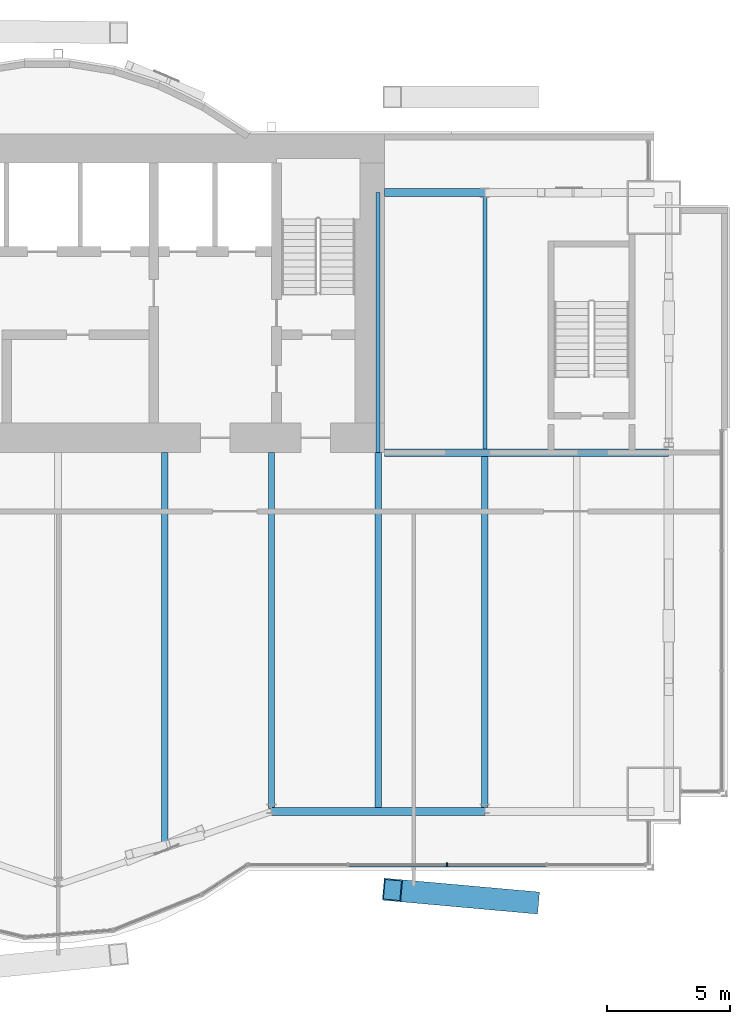
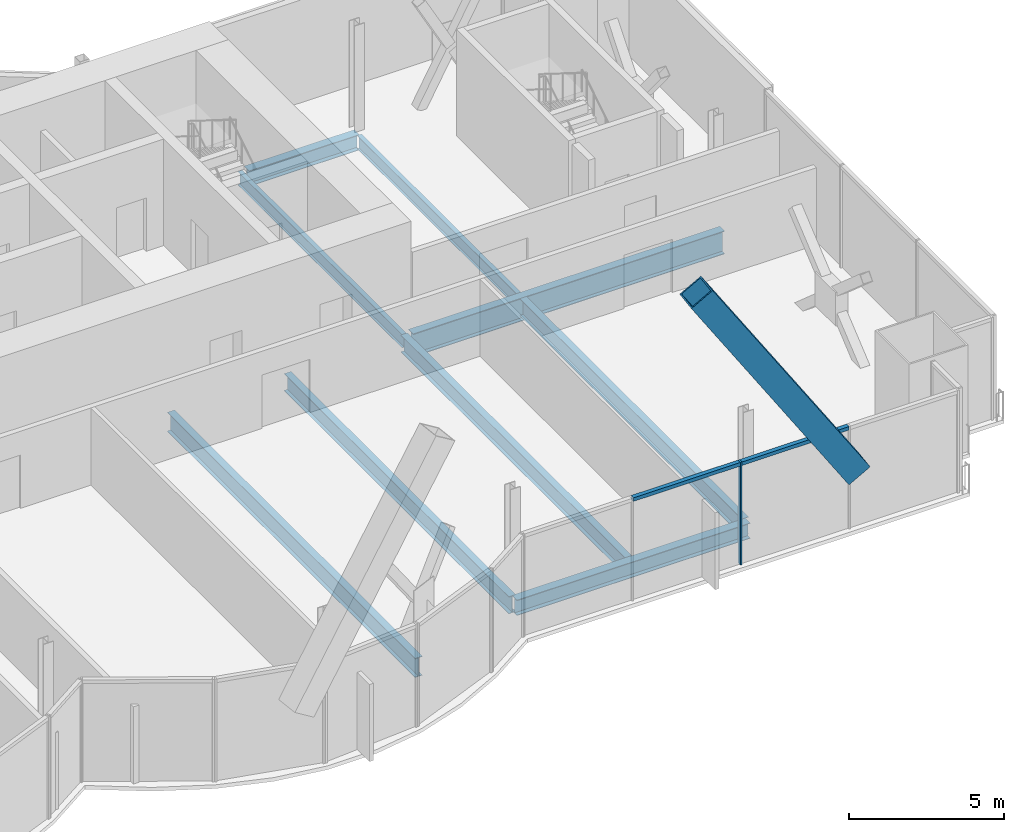
# One storey, part 9 of 20: 9 beams, 4 members, 1 element without a shape of its own.
"""IFC4 building model written with IfcOpenShell, lengths in metres."""

from ifc_helpers import new_model, si_unit, direction, frame, origin, origin_2d, place, context, subcontext, project, spatial, rectangle, hollow_rectangle, i_section, extrude, material, material_profile, profile_set, type_object, element, aggregate, save


model = new_model("IFC4")

# Units and contexts
model_context = context("Model", 3, precision=1e-05, world=origin(), true_north=direction((0.0, 1.0)))
body_context = subcontext(model_context, "Body", "Model", "MODEL_VIEW")
ifc_project = project(units=[si_unit("LENGTHUNIT", "METRE"), si_unit("AREAUNIT", "SQUARE_METRE"), si_unit("VOLUMEUNIT", "CUBIC_METRE"), si_unit("PLANEANGLEUNIT", "RADIAN"), si_unit("MASSUNIT", "GRAM", prefix="KILO")], contexts=[model_context])

# Site, building, storey
site_placement = place(None, origin())
site = spatial("IfcSite", under=ifc_project, at=site_placement, CompositionType="ELEMENT")
building_placement = place(site_placement, origin())
building = spatial("IfcBuilding", under=site, at=building_placement, Name="Bicima Exchange Tower", CompositionType="ELEMENT")
storey_placement = place(building_placement, frame((0.0, 0.0, 245.60009765625)))
storey = spatial("IfcBuildingStorey", under=building, at=storey_placement, Name="L55", CompositionType="ELEMENT", Elevation=245.60009765625)

# Beam
ifc_material_1 = material(Name="Steel ASTM A992 Gr 50", Category="steel")
ifc_material_profile_1 = material_profile(ifc_material_1, i_section(OverallWidth=0.3046875, OverallDepth=0.911865234375, WebThickness=0.015869140625, FlangeThickness=0.02392578125, at=origin_2d()))
ifc_profile_set_1 = profile_set([ifc_material_profile_1], Name="Steel ASTM A992 Gr 50")
beam_type_1 = type_object("IfcBeamType", Name="Core-line girder W36x150", PredefinedType="BEAM", material=ifc_profile_set_1)
beam_1_placement = place(storey_placement, frame((22.0, -13.0, -0.60595703125), z_axis=(1.0, 0.0, 0.0), x_axis=(0.0, 1.0, 0.0)))
element("IfcBeam", 1, at=beam_1_placement, inside=storey, type_object=beam_type_1, Name="Core-line girder", PredefinedType="BEAM", context=body_context, shape_type="SweptSolid", body=[
    extrude(i_section(OverallWidth=0.3046875, OverallDepth=0.911865234375, WebThickness=0.015869140625, FlangeThickness=0.02392578125, at=origin_2d()), origin(), (0.0, 0.0, 1.0), 11.60009765625),
])

# Member
ifc_material_2 = material(Name="Steel ASTM A572 Gr 50", Category="steel")
ifc_material_profile_2 = material_profile(ifc_material_2, hollow_rectangle(XDim=0.89990234375, YDim=0.89990234375, WallThickness=0.050048828125, at=origin_2d()))
ifc_profile_set_2 = profile_set([ifc_material_profile_2], Name="Steel ASTM A572 Gr 50")
member_type_1 = type_object("IfcMemberType", Name="Exo mega brace BOX 900x900x50", PredefinedType="BRACE", material=ifc_profile_set_2)
member_1_placement = place(storey_placement, frame((27.916748046875, -31.3408203125, 3.5), z_axis=(-0.543903217572, 0.048682548595, 0.83773462348), x_axis=(-0.089149513248, -0.996018254997, 0.0)))
element("IfcMember", 2, at=member_1_placement, inside=storey, type_object=member_type_1, Name="Exo mega brace front", PredefinedType="BRACE", context=body_context, shape_type="SweptSolid", body=[
    extrude(hollow_rectangle(XDim=0.89990234375, YDim=0.89990234375, WallThickness=0.050048828125, at=origin_2d()), origin(), (0.0, 0.0, 1.0), 10.265625),
])

# Beams
ifc_material_profile_3 = material_profile(ifc_material_1, i_section(OverallWidth=0.165771484375, OverallDepth=0.5283203125, WebThickness=0.009765625, FlangeThickness=0.013671875, at=origin_2d()))
ifc_profile_set_3 = profile_set([ifc_material_profile_3], Name="Steel ASTM A992 Gr 50")
beam_type_2 = type_object("IfcBeamType", Name="Floor beam W21x50", PredefinedType="JOIST", material=ifc_profile_set_3)
beam_2_placement = place(storey_placement, frame((21.75, -2.39990234375, -0.414306640625), z_axis=(0.0, -1.0, 0.0), x_axis=(1.0, 0.0, 0.0)))
element("IfcBeam", 3, at=beam_2_placement, inside=storey, type_object=beam_type_2, Name="Floor beam", PredefinedType="JOIST", context=body_context, shape_type="SweptSolid", body=[
    extrude(i_section(OverallWidth=0.165771484375, OverallDepth=0.5283203125, WebThickness=0.009765625, FlangeThickness=0.013671875, at=origin_2d()), origin(), (0.0, 0.0, 1.0), 10.60009765625),
])
beam_3_placement = place(storey_placement, frame((26.10009765625, -2.5625, -0.414306640625), z_axis=(0.0, -1.0, 0.0), x_axis=(1.0, 0.0, 0.0)))
element("IfcBeam", 4, at=beam_3_placement, inside=storey, type_object=beam_type_2, Name="Floor beam", PredefinedType="JOIST", context=body_context, shape_type="SweptSolid", body=[
    extrude(i_section(OverallWidth=0.165771484375, OverallDepth=0.5283203125, WebThickness=0.009765625, FlangeThickness=0.013671875, at=origin_2d()), origin(), (0.0, 0.0, 1.0), 10.28515625),
])
ifc_material_profile_4 = material_profile(ifc_material_1, i_section(OverallWidth=0.25390625, OverallDepth=0.67822265625, WebThickness=0.01171875, FlangeThickness=0.016357421875, at=origin_2d()))
ifc_profile_set_4 = profile_set([ifc_material_profile_4], Name="Steel ASTM A992 Gr 50")
beam_type_3 = type_object("IfcBeamType", Name="Floor beam W27x84", PredefinedType="JOIST", material=ifc_profile_set_4)
beam_4_placement = place(storey_placement, frame((17.39990234375, -13.0, -0.4892578125), z_axis=(0.0, -1.0, 0.0), x_axis=(1.0, 0.0, 0.0)))
element("IfcBeam", 5, at=beam_4_placement, inside=storey, type_object=beam_type_3, Name="Floor beam", PredefinedType="JOIST", context=body_context, shape_type="SweptSolid", body=[
    extrude(i_section(OverallWidth=0.25390625, OverallDepth=0.67822265625, WebThickness=0.01171875, FlangeThickness=0.016357421875, at=origin_2d()), origin(), (0.0, 0.0, 1.0), 14.50830078125),
])
beam_5_placement = place(storey_placement, frame((21.75, -13.0, -0.4892578125), z_axis=(0.0, -1.0, 0.0), x_axis=(1.0, 0.0, 0.0)))
element("IfcBeam", 6, at=beam_5_placement, inside=storey, type_object=beam_type_3, Name="Floor beam", PredefinedType="JOIST", context=body_context, shape_type="SweptSolid", body=[
    extrude(i_section(OverallWidth=0.25390625, OverallDepth=0.67822265625, WebThickness=0.01171875, FlangeThickness=0.016357421875, at=origin_2d()), origin(), (0.0, 0.0, 1.0), 14.4814453125),
])
beam_6_placement = place(storey_placement, frame((26.10009765625, -13.15234375, -0.4892578125), z_axis=(0.0, -1.0, 0.0), x_axis=(1.0, 0.0, 0.0)))
element("IfcBeam", 7, at=beam_6_placement, inside=storey, type_object=beam_type_3, Name="Floor beam", PredefinedType="JOIST", context=body_context, shape_type="SweptSolid", body=[
    extrude(i_section(OverallWidth=0.25390625, OverallDepth=0.67822265625, WebThickness=0.01171875, FlangeThickness=0.016357421875, at=origin_2d()), origin(), (0.0, 0.0, 1.0), 14.3291015625),
])
ifc_material_profile_5 = material_profile(ifc_material_1, i_section(OverallWidth=0.2666015625, OverallDepth=0.75439453125, WebThickness=0.01318359375, FlangeThickness=0.01708984375, at=origin_2d()))
ifc_profile_set_5 = profile_set([ifc_material_profile_5], Name="Steel ASTM A992 Gr 50")
beam_type_4 = type_object("IfcBeamType", Name="Floor beam W30x99", PredefinedType="JOIST", material=ifc_profile_set_5)
beam_7_placement = place(storey_placement, frame((13.050048828125, -13.0, -0.52734375), z_axis=(0.0, -1.0, 0.0), x_axis=(1.0, 0.0, 0.0)))
element("IfcBeam", 8, at=beam_7_placement, inside=storey, type_object=beam_type_4, Name="Floor beam", PredefinedType="JOIST", context=body_context, shape_type="SweptSolid", body=[
    extrude(i_section(OverallWidth=0.2666015625, OverallDepth=0.75439453125, WebThickness=0.01318359375, FlangeThickness=0.01708984375, at=origin_2d()), origin(), (0.0, 0.0, 1.0), 16.00390625),
])
ifc_material_profile_6 = material_profile(ifc_material_1, i_section(OverallWidth=0.3251953125, OverallDepth=0.612060546875, WebThickness=0.0126953125, FlangeThickness=0.01904296875, at=origin_2d()))
ifc_profile_set_6 = profile_set([ifc_material_profile_6], Name="Steel ASTM A992 Gr 50")
beam_type_5 = type_object("IfcBeamType", Name="Front girder W24x104", PredefinedType="BEAM", material=ifc_profile_set_6)
beam_8_placement = place(storey_placement, frame((17.39990234375, -27.64404296875, -0.456298828125), z_axis=(1.0, 0.0, 0.0), x_axis=(0.0, 1.0, 0.0)))
element("IfcBeam", 9, at=beam_8_placement, inside=storey, type_object=beam_type_5, Name="Front girder", PredefinedType="BEAM", context=body_context, shape_type="SweptSolid", body=[
    extrude(i_section(OverallWidth=0.3251953125, OverallDepth=0.612060546875, WebThickness=0.0126953125, FlangeThickness=0.01904296875, at=origin_2d()), origin(), (0.0, 0.0, 1.0), 8.7001953125),
])

# Curtain wall, members
ifc_material_3 = material(Name="Anodised bronze aluminium", Category="aluminium")
curtain_wall_type = type_object("IfcCurtainWallType", Name="Front glass wall", PredefinedType="NOTDEFINED", material=ifc_material_3)
curtain_wall_placement = place(storey_placement, origin())
curtain_wall = element("IfcCurtainWall", 10, at=curtain_wall_placement, inside=storey, type_object=curtain_wall_type, Name="Front glass wall L55 run 16", PredefinedType="NOTDEFINED")
ifc_material_profile_7 = material_profile(ifc_material_3, rectangle(XDim=0.159912109375, YDim=0.06005859375, at=origin_2d()))
ifc_profile_set_7 = profile_set([ifc_material_profile_7], Name="Anodised bronze aluminium")
member_type_2 = type_object("IfcMemberType", Name="Front glass wall mullion 60 x 160", PredefinedType="MULLION", material=ifc_profile_set_7)
member_2_placement = place(storey_placement, frame((24.56103515625, -29.81396484375, 0.0), z_axis=(0.0, 0.0, 1.0), x_axis=(0.0, 1.0, 0.0)))
member_2 = element("IfcMember", 11, at=member_2_placement, type_object=member_type_2, Name="Front glass wall mullion 3", PredefinedType="MULLION", context=body_context, shape_type="SweptSolid", body=[
    extrude(rectangle(XDim=0.159912109375, YDim=0.06005859375, at=origin_2d()), origin(), (0.0, 0.0, 1.0), 4.0498046875),
])
ifc_material_profile_8 = material_profile(ifc_material_3, rectangle(XDim=0.159912109375, YDim=0.139892578125, at=origin_2d()))
ifc_profile_set_8 = profile_set([ifc_material_profile_8], Name="Anodised bronze aluminium")
member_type_3 = type_object("IfcMemberType", Name="Front glass wall transom 140 x 160", PredefinedType="USERDEFINED", material=ifc_profile_set_8)
member_3_placement = place(storey_placement, frame((20.54150390625, -29.81396484375, 3.97998046875), z_axis=(1.0, 0.0, 0.0), x_axis=(0.0, 1.0, 0.0)))
member_3 = element("IfcMember", 12, at=member_3_placement, type_object=member_type_3, Name="Front glass wall transom 2.1", ObjectType="TRANSOM", PredefinedType="USERDEFINED", context=body_context, shape_type="SweptSolid", body=[
    extrude(rectangle(XDim=0.159912109375, YDim=0.139892578125, at=origin_2d()), origin(), (0.0, 0.0, 1.0), 3.989501953125),
])
member_4_placement = place(storey_placement, frame((24.591064453125, -29.81396484375, 3.97998046875), z_axis=(1.0, 0.0, 0.0), x_axis=(0.0, 1.0, 0.0)))
member_4 = element("IfcMember", 13, at=member_4_placement, type_object=member_type_3, Name="Front glass wall transom 3.1", ObjectType="TRANSOM", PredefinedType="USERDEFINED", context=body_context, shape_type="SweptSolid", body=[
    extrude(rectangle(XDim=0.159912109375, YDim=0.139892578125, at=origin_2d()), origin(), (0.0, 0.0, 1.0), 3.989501953125),
])
aggregate(curtain_wall, [member_2, member_3, member_4])

# Beam
beam_type_6 = type_object("IfcBeamType", Name="Rear girder W24x104", PredefinedType="BEAM", material=ifc_profile_set_6)
beam_9_placement = place(storey_placement, frame((22.0, -2.39990234375, -0.456298828125), z_axis=(1.0, 0.0, 0.0), x_axis=(0.0, 1.0, 0.0)))
element("IfcBeam", 14, at=beam_9_placement, inside=storey, type_object=beam_type_6, Name="Rear girder", PredefinedType="BEAM", context=body_context, shape_type="SweptSolid", body=[
    extrude(i_section(OverallWidth=0.3251953125, OverallDepth=0.612060546875, WebThickness=0.0126953125, FlangeThickness=0.01904296875, at=origin_2d()), origin(), (0.0, 0.0, 1.0), 4.10009765625),
])

save(model, "model.ifc")
